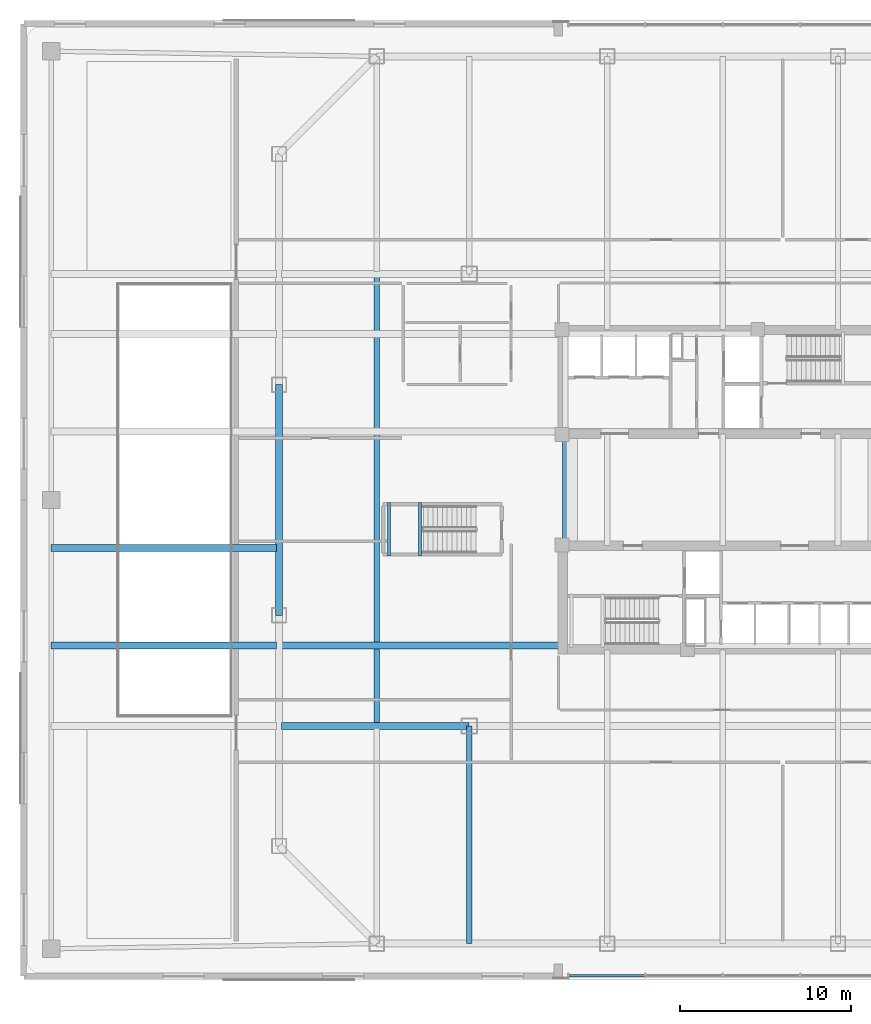
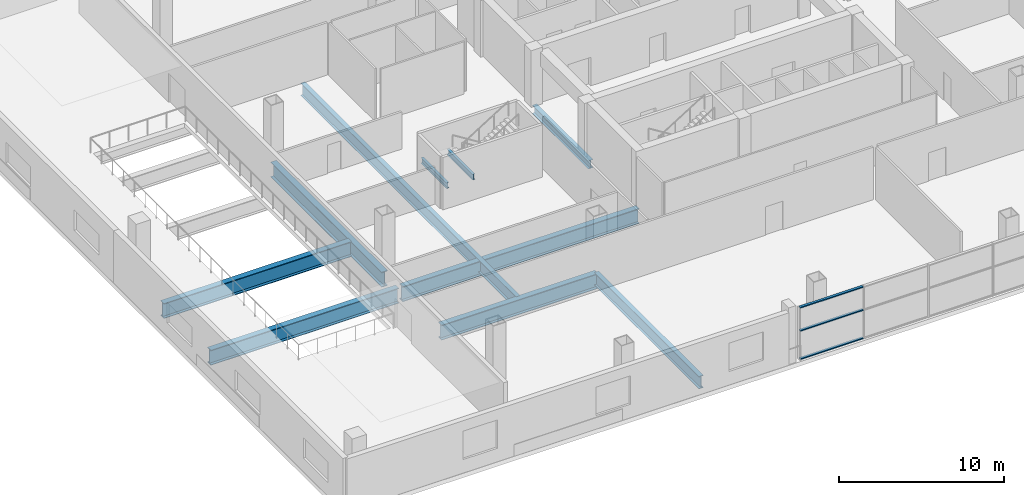
# One storey, part 3 of 21: 10 beams, 3 members, 1 element without a shape of its own.
"""IFC4 building model written with IfcOpenShell, lengths in metres."""

import ifcopenshell
import ifcopenshell.guid

model = None  # the IFC model being written
_history = None  # IfcOwnerHistory: only IFC2X3 demands one
_inside = {}  # id of a spatial element -> (the spatial element, [elements in it])
_under = {}  # id of a project, library or spatial element -> (it, [spatial elements below it])
_declared = {}  # id of a project -> (the project, [libraries it declares])
_typed = {}  # id of a type object -> (the type object, [elements of that type])
_made_of = {}  # id of a material, layer set ... -> (it, [elements and type objects made of it])


def new_model(schema):
    """Start an empty IFC model of exactly this schema.

    Asked for "IFC4X3", IfcOpenShell would pick the latest addendum, in which some entities
    have other attributes; the version numbers below select the first issue.
    IFC2X3 requires an IfcOwnerHistory on every rooted entity: one is made here for all.
    """
    global model, _history
    if schema == "IFC4X3":
        model = ifcopenshell.file(schema_version=(4, 3, 0, 0))
    else:
        model = ifcopenshell.file(schema=schema)
    _inside.clear()
    _under.clear()
    _declared.clear()
    _typed.clear()
    _made_of.clear()
    _history = None
    if model.schema == "IFC2X3":
        org = make("IfcOrganization", Name="unknown")
        user = make(
            "IfcPersonAndOrganization",
            ThePerson=make("IfcPerson", FamilyName="unknown"),
            TheOrganization=org,
        )
        app = make(
            "IfcApplication",
            ApplicationDeveloper=org,
            Version="unknown",
            ApplicationFullName="unknown",
            ApplicationIdentifier="unknown",
        )
        _history = make(
            "IfcOwnerHistory",
            OwningUser=user,
            OwningApplication=app,
            ChangeAction="ADDED",
            CreationDate=0,
        )
    return model


def make(cls, **values):
    """One entity of the class cls with the attributes given. An attribute that is None is left unset."""
    return model.create_entity(
        cls, **{name: value for name, value in values.items() if value is not None}
    )


def rooted(cls, **values):
    """An entity with a GlobalId (a new one), such as an element, a storey or a relation."""
    return make(cls, GlobalId=ifcopenshell.guid.new(), OwnerHistory=_history, **values)


def si_unit(unit_type, name, prefix=None):
    """IfcSIUnit, for example si_unit("LENGTHUNIT", "METRE", prefix="MILLI")."""
    return make("IfcSIUnit", UnitType=unit_type, Prefix=prefix, Name=name)


def assignment(units):
    """IfcUnitAssignment: the units of a project."""
    return None if units is None else make("IfcUnitAssignment", Units=units)


def point(xyz):
    """IfcCartesianPoint."""
    return None if xyz is None else make("IfcCartesianPoint", Coordinates=xyz)


def direction(xyz):
    """IfcDirection."""
    return None if xyz is None else make("IfcDirection", DirectionRatios=xyz)


def frame(location, z_axis=None, x_axis=None):
    """IfcAxis2Placement3D, a coordinate frame: its origin and axes. An axis left out is left unset."""
    return make(
        "IfcAxis2Placement3D",
        Location=point(location),
        Axis=direction(z_axis),
        RefDirection=direction(x_axis),
    )


def frame_2d(location, x_axis=None):
    """IfcAxis2Placement2D, a coordinate frame in the plane: its origin and x axis."""
    return make(
        "IfcAxis2Placement2D", Location=point(location), RefDirection=direction(x_axis)
    )


def origin():
    """The frame at (0, 0, 0) with its axes left unset."""
    return frame((0.0, 0.0, 0.0))


def origin_2d():
    """The frame at (0, 0) in the plane with its x axis left unset."""
    return frame_2d((0.0, 0.0))


def place(relative_to, where):
    """IfcLocalPlacement: puts the frame where relative to a parent placement (None: the world)."""
    return make(
        "IfcLocalPlacement", PlacementRelTo=relative_to, RelativePlacement=where
    )


def context(
    kind, dimensions, precision=None, world=None, true_north=None, identifier=None
):
    """IfcGeometricRepresentationContext, for example the 3D "Model" context."""
    return make(
        "IfcGeometricRepresentationContext",
        ContextIdentifier=identifier,
        ContextType=kind,
        CoordinateSpaceDimension=dimensions,
        Precision=precision,
        WorldCoordinateSystem=world,
        TrueNorth=true_north,
    )


def subcontext(parent, identifier, kind, view, scale=None):
    """IfcGeometricRepresentationSubContext, for example "Body" below "Model"."""
    return make(
        "IfcGeometricRepresentationSubContext",
        ContextIdentifier=identifier,
        ContextType=kind,
        ParentContext=parent,
        TargetScale=scale,
        TargetView=view,
    )


def project(units=None, contexts=None):
    """IfcProject with its units and contexts."""
    return rooted(
        "IfcProject",
        Name="project",
        RepresentationContexts=contexts,
        UnitsInContext=assignment(units),
    )


def spatial(cls, under=None, at=None, **own):
    """A site, building, storey or space (cls), placed at a placement, below another one or the project."""
    s = rooted(cls, ObjectPlacement=at, **own)
    if under is not None:
        _under.setdefault(under.id(), (under, []))[1].append(s)
    return s


def profile(cls, at=None, kind="AREA", **sizes):
    """A parametric profile (cls). Its sizes go by their IFC names, for example OverallWidth=200.0."""
    return make(cls, ProfileType=kind, Position=at, **sizes)


def hollow_rectangle(**sizes):
    """IfcRectangleHollowProfileDef."""
    return profile("IfcRectangleHollowProfileDef", **sizes)


def i_section(**sizes):
    """IfcIShapeProfileDef."""
    return profile("IfcIShapeProfileDef", **sizes)


def extrude(swept, where, along, depth):
    """IfcExtrudedAreaSolid: the profile swept, set in the frame where, extruded along a direction by depth."""
    return make(
        "IfcExtrudedAreaSolid",
        SweptArea=swept,
        Position=where,
        ExtrudedDirection=direction(along),
        Depth=depth,
    )


def shape(context_of_items, identifier, shape_type, items):
    """IfcShapeRepresentation: the items that make up one representation, for example the "Body"."""
    return make(
        "IfcShapeRepresentation",
        ContextOfItems=context_of_items,
        RepresentationIdentifier=identifier,
        RepresentationType=shape_type,
        Items=items,
    )


def material(Name=None, Category=None):
    """IfcMaterial."""
    return make("IfcMaterial", Name=Name, Category=Category)


def layer(
    of_material, thickness, ventilated=None, Name=None, Category=None, Priority=None
):
    """IfcMaterialLayer: one layer of a wall or slab, of a material (None: an air gap)."""
    return make(
        "IfcMaterialLayer",
        Material=of_material,
        LayerThickness=thickness,
        IsVentilated=ventilated,
        Name=Name,
        Category=Category,
        Priority=Priority,
    )


def layer_set(layers, Name=None):
    """IfcMaterialLayerSet."""
    return make("IfcMaterialLayerSet", MaterialLayers=layers, LayerSetName=Name)


def material_profile(
    of_material, cross_section, Name=None, Category=None, Priority=None
):
    """IfcMaterialProfile: a cross section and its material."""
    return make(
        "IfcMaterialProfile",
        Name=Name,
        Material=of_material,
        Profile=cross_section,
        Priority=Priority,
        Category=Category,
    )


def profile_set(profiles, Name=None, composite=None):
    """IfcMaterialProfileSet."""
    return make(
        "IfcMaterialProfileSet",
        Name=Name,
        MaterialProfiles=profiles,
        CompositeProfile=composite,
    )


def made_of(thing, what):
    """Note that an element or type object is made of a material, layer set ...; save() writes the relation."""
    if what is not None:
        _made_of.setdefault(what.id(), (what, []))[1].append(thing)
    return thing


def type_object(cls, material=None, **own):
    """A type object (cls), such as IfcWallType, which elements share."""
    return made_of(rooted(cls, **own), material)


def element(
    cls,
    number,
    at=None,
    inside=None,
    cuts=None,
    type_object=None,
    material=None,
    context=None,
    identifier="Body",
    shape_type=None,
    held_by="IfcProductDefinitionShape",
    body=None,
    shapes=None,
    **own,
):
    """One element of the class cls, such as IfcWall. Its Tag is "e" and its number.

    at: its placement. inside: the storey or other place that contains it. cuts: it is an
    opening in that element (IfcRelVoidsElement). A single representation is given by context,
    identifier, shape_type and body (its items); several are given by shapes. held_by: the class
    of the entity that holds the representations. save() writes the other relations.
    """
    e = rooted(cls, Tag="e%d" % number, ObjectPlacement=at, **own)
    if body is not None:
        shapes = [shape(context, identifier, shape_type, body)]
    if shapes is not None:
        e.Representation = make(held_by, Representations=shapes)
    if inside is not None:
        _inside.setdefault(inside.id(), (inside, []))[1].append(e)
    if cuts is not None:
        rooted(
            "IfcRelVoidsElement", RelatingBuildingElement=cuts, RelatedOpeningElement=e
        )
    if type_object is not None:
        _typed.setdefault(type_object.id(), (type_object, []))[1].append(e)
    return made_of(e, material)


def aggregate(whole, parts):
    """IfcRelAggregates: a whole, such as a stair, and the parts it consists of."""
    return rooted("IfcRelAggregates", RelatingObject=whole, RelatedObjects=parts)


def save(model, path):
    """Write the relations noted so far, then the file.

    IfcRelAggregates (storeys below a building ...), IfcRelContainedInSpatialStructure (elements
    in a storey), IfcRelDefinesByType, IfcRelAssociatesMaterial and IfcRelDeclares: one each for
    every whole, place, type object, material and project.
    """
    for whole, parts in _under.values():
        aggregate(whole, parts)
    for where, things in _inside.values():
        rooted(
            "IfcRelContainedInSpatialStructure",
            RelatedElements=things,
            RelatingStructure=where,
        )
    for kind, things in _typed.values():
        rooted("IfcRelDefinesByType", RelatedObjects=things, RelatingType=kind)
    for what, things in _made_of.values():
        rooted("IfcRelAssociatesMaterial", RelatedObjects=things, RelatingMaterial=what)
    for by, libraries in _declared.values():
        rooted("IfcRelDeclares", RelatingContext=by, RelatedDefinitions=libraries)
    model.write(path)


model = new_model("IFC4")

# Units and contexts
model_context = context("Model", 3, precision=1e-05, world=origin(), true_north=direction((0.0, 1.0)))
body_context = subcontext(model_context, "Body", "Model", "MODEL_VIEW")
ifc_project = project(units=[si_unit("LENGTHUNIT", "METRE"), si_unit("AREAUNIT", "SQUARE_METRE"), si_unit("VOLUMEUNIT", "CUBIC_METRE"), si_unit("PLANEANGLEUNIT", "RADIAN"), si_unit("MASSUNIT", "GRAM", prefix="KILO")], contexts=[model_context])

# Site, building, storey
site_placement = place(None, origin())
site = spatial("IfcSite", under=ifc_project, at=site_placement, CompositionType="ELEMENT")
building_placement = place(site_placement, origin())
building = spatial("IfcBuilding", under=site, at=building_placement, Name="Qhalaya Broadcast Tower", CompositionType="ELEMENT")
storey_placement = place(building_placement, frame((0.0, 0.0, 9.300048828125)))
storey = spatial("IfcBuildingStorey", under=building, at=storey_placement, Name="L02", CompositionType="ELEMENT", Elevation=9.300048828125)

# Beams
ifc_material_1 = material(Name="Structural Steel ASTM A992 Grade 50", Category="steel")
ifc_material_profile_1 = material_profile(ifc_material_1, i_section(OverallWidth=0.323974609375, OverallDepth=0.612060546875, WebThickness=0.0126953125, FlangeThickness=0.01904296875, at=origin_2d()), Name="W24X104")
ifc_profile_set_1 = profile_set([ifc_material_profile_1], Name="Structural Steel ASTM A992 Grade 50")
beam_type_1 = type_object("IfcBeamType", Name="Core Frame Tie Beam B04", PredefinedType="BEAM", material=ifc_profile_set_1)
beam_1_placement = place(storey_placement, frame((-9.199951171875, -2.800048828125, -0.6259765625), z_axis=(0.0, 1.0, 0.0), x_axis=(-1.0, 0.0, 0.0)))
element("IfcBeam", 1, at=beam_1_placement, inside=storey, type_object=beam_type_1, Name="L02 B04 L02-CCW", PredefinedType="BEAM", context=body_context, shape_type="SweptSolid", body=[
    extrude(i_section(OverallWidth=0.323974609375, OverallDepth=0.612060546875, WebThickness=0.0126953125, FlangeThickness=0.01904296875, at=origin_2d()), origin(), (0.0, 0.0, 1.0), 6.800048828125),
])
ifc_material_profile_2 = material_profile(ifc_material_1, i_section(OverallWidth=0.306884765625, OverallDepth=0.927001953125, WebThickness=0.019287109375, FlangeThickness=0.031982421875, at=origin_2d()), Name="W36X194")
ifc_profile_set_2 = profile_set([ifc_material_profile_2], Name="Structural Steel ASTM A992 Grade 50")
beam_type_2 = type_object("IfcBeamType", Name="Heavy Studio Floor Beam B01", PredefinedType="BEAM", material=ifc_profile_set_2)
beam_2_placement = place(storey_placement, frame((-20.199951171875, -13.06005859375, -0.783447265625), z_axis=(0.0, 1.0, 0.0), x_axis=(-1.0, 0.0, 0.0)))
element("IfcBeam", 2, at=beam_2_placement, inside=storey, type_object=beam_type_2, Name="L02 B01 L02-JS-M-20.2", PredefinedType="BEAM", context=body_context, shape_type="SweptSolid", body=[
    extrude(i_section(OverallWidth=0.306884765625, OverallDepth=0.927001953125, WebThickness=0.019287109375, FlangeThickness=0.031982421875, at=origin_2d()), origin(), (0.0, 0.0, 1.0), 26.1201171875),
])
beam_3_placement = place(storey_placement, frame((-14.800048828125, -25.89990234375, -0.783447265625), z_axis=(0.0, 1.0, 0.0), x_axis=(-1.0, 0.0, 0.0)))
element("IfcBeam", 3, at=beam_3_placement, inside=storey, type_object=beam_type_2, Name="L02 B01 L02-JS-S-14.8", PredefinedType="BEAM", context=body_context, shape_type="SweptSolid", body=[
    extrude(i_section(OverallWidth=0.306884765625, OverallDepth=0.927001953125, WebThickness=0.019287109375, FlangeThickness=0.031982421875, at=origin_2d()), origin(), (0.0, 0.0, 1.0), 12.699951171875),
])
ifc_material_profile_3 = material_profile(ifc_material_1, i_section(OverallWidth=0.404052734375, OverallDepth=1.117919921875, WebThickness=0.026123046875, FlangeThickness=0.044921875, at=origin_2d()), Name="W44X335")
ifc_profile_set_3 = profile_set([ifc_material_profile_3], Name="Structural Steel ASTM A992 Grade 50")
beam_type_3 = type_object("IfcBeamType", Name="Podium Long-Span Primary Girder PG1", PredefinedType="USERDEFINED", material=ifc_profile_set_3)
beam_4_placement = place(storey_placement, frame((-25.89990234375, 6.7333984375, -0.879150390625), z_axis=(0.0, -1.0, 0.0), x_axis=(1.0, 0.0, 0.0)))
element("IfcBeam", 4, at=beam_4_placement, inside=storey, type_object=beam_type_3, Name="L02 PG1 L02-PG-R14", ObjectType="GIRDER", PredefinedType="USERDEFINED", context=body_context, shape_type="SweptSolid", body=[
    extrude(i_section(OverallWidth=0.404052734375, OverallDepth=1.117919921875, WebThickness=0.026123046875, FlangeThickness=0.044921875, at=origin_2d()), origin(), (0.0, 0.0, 1.0), 13.466796875),
])
beam_5_placement = place(storey_placement, frame((-25.760009765625, -13.199951171875, -0.879150390625), z_axis=(1.0, 0.0, 0.0), x_axis=(0.0, 1.0, 0.0)))
element("IfcBeam", 5, at=beam_5_placement, inside=storey, type_object=beam_type_3, Name="L02 PG1 L02-PG-GS2", ObjectType="GIRDER", PredefinedType="USERDEFINED", context=body_context, shape_type="SweptSolid", body=[
    extrude(i_section(OverallWidth=0.404052734375, OverallDepth=1.117919921875, WebThickness=0.026123046875, FlangeThickness=0.044921875, at=origin_2d()), origin(), (0.0, 0.0, 1.0), 10.9599609375),
])
beam_6_placement = place(storey_placement, frame((-39.199951171875, -8.5, -0.879150390625), z_axis=(1.0, 0.0, 0.0), x_axis=(0.0, 1.0, 0.0)))
element("IfcBeam", 6, at=beam_6_placement, inside=storey, type_object=beam_type_3, Name="L02 PG1 L02-PG-W1A", ObjectType="GIRDER", PredefinedType="USERDEFINED", context=body_context, shape_type="SweptSolid", body=[
    extrude(i_section(OverallWidth=0.404052734375, OverallDepth=1.117919921875, WebThickness=0.026123046875, FlangeThickness=0.044921875, at=origin_2d()), origin(), (0.0, 0.0, 1.0), 13.159912109375),
])
beam_7_placement = place(storey_placement, frame((-25.760009765625, -8.5, -0.879150390625), z_axis=(1.0, 0.0, 0.0), x_axis=(0.0, 1.0, 0.0)))
element("IfcBeam", 7, at=beam_7_placement, inside=storey, type_object=beam_type_3, Name="L02 PG1 L02-PG-W1B", ObjectType="GIRDER", PredefinedType="USERDEFINED", context=body_context, shape_type="SweptSolid", body=[
    extrude(i_section(OverallWidth=0.404052734375, OverallDepth=1.117919921875, WebThickness=0.026123046875, FlangeThickness=0.044921875, at=origin_2d()), origin(), (0.0, 0.0, 1.0), 16.56005859375),
])
beam_8_placement = place(storey_placement, frame((-39.199951171875, -2.800048828125, -0.879150390625), z_axis=(1.0, 0.0, 0.0), x_axis=(0.0, 1.0, 0.0)))
element("IfcBeam", 8, at=beam_8_placement, inside=storey, type_object=beam_type_3, Name="L02 PG1 L02-PG-W2A", ObjectType="GIRDER", PredefinedType="USERDEFINED", context=body_context, shape_type="SweptSolid", body=[
    extrude(i_section(OverallWidth=0.404052734375, OverallDepth=1.117919921875, WebThickness=0.026123046875, FlangeThickness=0.044921875, at=origin_2d()), origin(), (0.0, 0.0, 1.0), 13.159912109375),
])

# Curtain wall, members
ifc_material_2 = material(Name="Solar-Control Low-E Triple Glazing", Category="glass")
ifc_layer = layer(ifc_material_2, 0.219970703125, Name="Solar-Control Low-E Triple Glazing")
ifc_layer_set = layer_set([ifc_layer], Name="Solar-Control Low-E Triple Glazing")
curtain_wall_type = type_object("IfcCurtainWallType", Name="Podium Concourse Triple-Height Glazed Portal CW-01", PredefinedType="NOTDEFINED", material=ifc_layer_set)
curtain_wall_placement = place(storey_placement, origin())
curtain_wall = element("IfcCurtainWall", 9, at=curtain_wall_placement, inside=storey, type_object=curtain_wall_type, Name="L02 Unitised Curtain Wall L02-CW01-S", PredefinedType="NOTDEFINED")
ifc_material_3 = material(Name="Anodised Aluminium 6063-T6", Category="aluminium")
ifc_material_profile_4 = material_profile(ifc_material_3, hollow_rectangle(XDim=0.074951171875, YDim=0.179931640625, WallThickness=0.00390625, at=origin_2d()), Name="ALU-TRN 75x180x4")
ifc_profile_set_4 = profile_set([ifc_material_profile_4], Name="Anodised Aluminium 6063-T6")
member_type = type_object("IfcMemberType", Name="Unitised Curtain-Wall Transom T01", PredefinedType="USERDEFINED", material=ifc_profile_set_4)
member_1_placement = place(storey_placement, frame((-8.97509765625, -27.75, 0.037353515625), z_axis=(1.0, 0.0, 0.0), x_axis=(0.0, 0.0, 1.0)))
member_1 = element("IfcMember", 10, at=member_1_placement, type_object=member_type, Name="CW-01 transom 1.1", ObjectType="TRANSOM", PredefinedType="USERDEFINED", context=body_context, shape_type="SweptSolid", body=[
    extrude(hollow_rectangle(XDim=0.074951171875, YDim=0.179931640625, WallThickness=0.00390625, at=origin_2d()), origin(), (0.0, 0.0, 1.0), 4.41259765625),
])
member_2_placement = place(storey_placement, frame((-8.97509765625, -27.75, 2.134033203125), z_axis=(1.0, 0.0, 0.0), x_axis=(0.0, 0.0, 1.0)))
member_2 = element("IfcMember", 11, at=member_2_placement, type_object=member_type, Name="CW-01 transom 1.2", ObjectType="TRANSOM", PredefinedType="USERDEFINED", context=body_context, shape_type="SweptSolid", body=[
    extrude(hollow_rectangle(XDim=0.074951171875, YDim=0.179931640625, WallThickness=0.00390625, at=origin_2d()), origin(), (0.0, 0.0, 1.0), 4.41259765625),
])
member_3_placement = place(storey_placement, frame((-8.97509765625, -27.75, 3.842529296875), z_axis=(1.0, 0.0, 0.0), x_axis=(0.0, 0.0, 1.0)))
member_3 = element("IfcMember", 12, at=member_3_placement, type_object=member_type, Name="CW-01 transom 1.3", ObjectType="TRANSOM", PredefinedType="USERDEFINED", context=body_context, shape_type="SweptSolid", body=[
    extrude(hollow_rectangle(XDim=0.074951171875, YDim=0.179931640625, WallThickness=0.00390625, at=origin_2d()), origin(), (0.0, 0.0, 1.0), 4.41259765625),
])
aggregate(curtain_wall, [member_1, member_2, member_3])

# Beams
ifc_material_profile_5 = material_profile(ifc_material_1, i_section(OverallWidth=0.177978515625, OverallDepth=0.406005859375, WebThickness=0.0078125, FlangeThickness=0.0126953125, at=origin_2d()), Name="W16X40")
ifc_profile_set_5 = profile_set([ifc_material_profile_5], Name="Structural Steel ASTM A992 Grade 50")
beam_type_4 = type_object("IfcBeamType", Name="Upper Perimeter Spandrel Beam SP2", PredefinedType="SPANDREL", material=ifc_profile_set_5)
for number, where, z_axis, x_axis, name in (
    (13, (-19.47998046875, -3.280029296875, 1.697021484375), (0.0, 1.0, 0.0), (-1.0, 0.0, 0.0), "L02 ST-P1 Half-Landing Bearer Beam 1"),
    (14, (-17.6650390625, -3.280029296875, 1.697021484375), (0.0, 1.0, 0.0), (-1.0, 0.0, 0.0), "L02 ST-P1 Half-Landing Bearer Beam 2"),
):
    element("IfcBeam", number, at=place(storey_placement, frame(where, z_axis=z_axis, x_axis=x_axis)), inside=storey, type_object=beam_type_4, Name=name, PredefinedType="SPANDREL", context=body_context, shape_type="SweptSolid", body=[
        extrude(i_section(OverallWidth=0.177978515625, OverallDepth=0.406005859375, WebThickness=0.0078125, FlangeThickness=0.0126953125, at=origin_2d()), origin(), (0.0, 0.0, 1.0), 3.1201171875),
    ])

save(model, "model.ifc")
